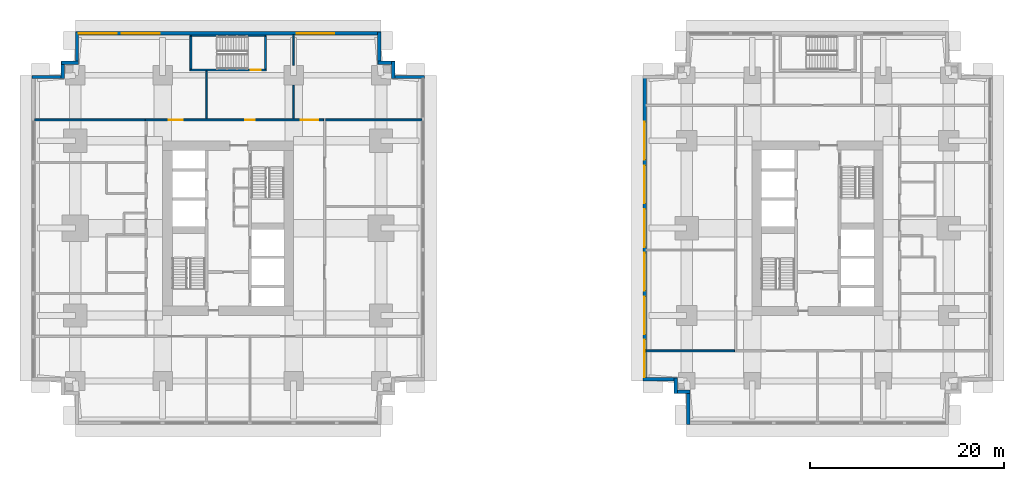
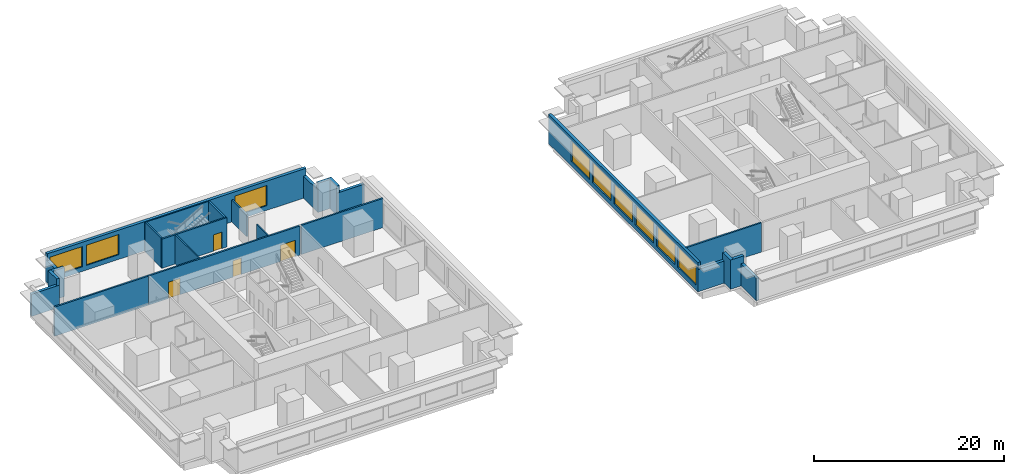
# One storey, part 5 of 11: 25 walls, 9 windows, 4 doors, 13 openings.
"""IFC4 building model written with IfcOpenShell, lengths in metres."""

from ifc_helpers import new_model, si_unit, direction, frame, frame_2d, origin, place, context, subcontext, project, spatial, rectangle, extrude, material, layer, layer_set, type_object, element, fill, save


model = new_model("IFC4")

# Units and contexts
model_context = context("Model", 3, precision=1e-05, world=origin(), true_north=direction((0.0, 1.0)))
body_context = subcontext(model_context, "Body", "Model", "MODEL_VIEW")
ifc_project = project(units=[si_unit("LENGTHUNIT", "METRE"), si_unit("AREAUNIT", "SQUARE_METRE"), si_unit("VOLUMEUNIT", "CUBIC_METRE"), si_unit("PLANEANGLEUNIT", "RADIAN"), si_unit("MASSUNIT", "GRAM", prefix="KILO")], contexts=[model_context])

# Site, building, storey
site_placement = place(None, origin())
site = spatial("IfcSite", under=ifc_project, at=site_placement, CompositionType="ELEMENT")
building_placement = place(site_placement, origin())
building = spatial("IfcBuilding", under=site, at=building_placement, Name="Namib Vertical Campus", CompositionType="ELEMENT")
storey_placement = place(building_placement, frame((0.0, 0.0, 61.0)))
storey = spatial("IfcBuildingStorey", under=building, at=storey_placement, Name="L14", CompositionType="ELEMENT", Elevation=61.0)

# Wall, openings, doors
ifc_material_1 = material(Name="Concrete masonry", Category="masonry")
ifc_layer_1 = layer(ifc_material_1, 0.199951171875)
ifc_layer_set_1 = layer_set([ifc_layer_1], Name="Corridor wall 200")
wall_type_1 = type_object("IfcWallType", Name="Corridor wall 200", PredefinedType="SOLIDWALL", material=ifc_layer_set_1)
wall_1_placement = place(storey_placement, frame((30.10009765625, 31.39990234375, 0.0), z_axis=(0.0, 0.0, 1.0), x_axis=(-1.0, 0.0, 0.0)))
wall_1 = element("IfcWall", 1, at=wall_1_placement, inside=storey, type_object=wall_type_1, Name="Corridor wall A L14 CN", PredefinedType="SOLIDWALL", context=body_context, shape_type="SweptSolid", body=[
    extrude(rectangle(XDim=18.400146484375, YDim=0.199951171875, at=frame_2d((9.2001953125, 0.0))), origin(), (0.0, 0.0, 1.0), 3.75),
])
opening_1_placement = place(wall_1_placement, frame((14.550048828125, 0.0, 0.0)))
opening_1 = element("IfcOpeningElement", 2, at=opening_1_placement, cuts=wall_1, Name="Opening LB1", PredefinedType="OPENING", context=body_context, shape_type="SweptSolid", body=[
    extrude(rectangle(XDim=1.39990234375, YDim=2.10009765625, at=frame_2d((0.699951171875, 1.050048828125))), frame((0.0, 0.10986328125, 0.0), z_axis=(0.0, -1.0, 0.0), x_axis=(1.0, 0.0, 0.0)), (0.0, 0.0, 1.0), 0.219970703125),
])
opening_2_placement = place(wall_1_placement, frame((7.10009765625, 0.0, 0.0)))
opening_2 = element("IfcOpeningElement", 3, at=opening_2_placement, cuts=wall_1, Name="Opening CD4", PredefinedType="OPENING", context=body_context, shape_type="SweptSolid", body=[
    extrude(rectangle(XDim=1.0, YDim=2.10009765625, at=frame_2d((0.5, 1.050048828125))), frame((0.0, 0.10986328125, 0.0), z_axis=(0.0, -1.0, 0.0), x_axis=(1.0, 0.0, 0.0)), (0.0, 0.0, 1.0), 0.219970703125),
])
opening_3_placement = place(wall_1_placement, frame((0.550048828125, 0.0, 0.0)))
opening_3 = element("IfcOpeningElement", 4, at=opening_3_placement, cuts=wall_1, Name="Opening CD2", PredefinedType="OPENING", context=body_context, shape_type="SweptSolid", body=[
    extrude(rectangle(XDim=1.800048828125, YDim=2.10009765625, at=frame_2d((0.89990234375, 1.050048828125))), frame((0.0, 0.10986328125, 0.0), z_axis=(0.0, -1.0, 0.0), x_axis=(1.0, 0.0, 0.0)), (0.0, 0.0, 1.0), 0.219970703125),
])
ifc_material_2 = material(Name="Timber fire door leaf", Category="wood")
door_type_1 = type_object("IfcDoorType", Name="Corridor door 1000x2100 20 min double-acting", OperationType="DOUBLE_SWING_LEFT", PredefinedType="DOOR", material=ifc_material_2)
door_1_placement = place(opening_2_placement, origin())
door_1 = element("IfcDoor", 5, at=door_1_placement, inside=storey, type_object=door_type_1, Name="Door CD4 A14-07", OperationType="DOUBLE_SWING_LEFT", OverallHeight=2.10009765625, OverallWidth=1.0, PredefinedType="DOOR", context=body_context, shape_type="SweptSolid", body=[
    extrude(rectangle(XDim=1.0, YDim=2.10009765625, at=frame_2d((0.5, 1.050048828125))), frame((0.0, 0.02490234375, 0.0), z_axis=(0.0, -1.0, 0.0), x_axis=(1.0, 0.0, 0.0)), (0.0, 0.0, 1.0), 0.050048828125),
])
fill(opening_2, door_1)
ifc_material_3 = material(Name="Timber fire door leaf", Category="wood")
door_type_2 = type_object("IfcDoorType", Name="Corridor door double 1800x2100 20 min", OperationType="DOUBLE_DOOR_SINGLE_SWING", PredefinedType="DOOR", material=ifc_material_3)
door_2_placement = place(opening_3_placement, frame((1.800048828125, 0.0, 0.0), z_axis=(0.0, 0.0, 1.0), x_axis=(-1.0, 0.0, 0.0)))
door_2 = element("IfcDoor", 6, at=door_2_placement, inside=storey, type_object=door_type_2, Name="Door CD2 A14-08", OperationType="DOUBLE_DOOR_SINGLE_SWING", OverallHeight=2.10009765625, OverallWidth=1.800048828125, PredefinedType="DOOR", context=body_context, shape_type="SweptSolid", body=[
    extrude(rectangle(XDim=1.800048828125, YDim=2.10009765625, at=frame_2d((0.89990234375, 1.050048828125))), frame((0.0, 0.02490234375, 0.0), z_axis=(0.0, -1.0, 0.0), x_axis=(1.0, 0.0, 0.0)), (0.0, 0.0, 1.0), 0.050048828125),
])
fill(opening_3, door_2)
ifc_material_4 = material(Name="Timber fire door leaf", Category="wood")
door_type_3 = type_object("IfcDoorType", Name="Laboratory door 1400x2100 leaf and a half", OperationType="DOUBLE_DOOR_SINGLE_SWING", PredefinedType="DOOR", material=ifc_material_4)
door_3_placement = place(opening_1_placement, frame((1.39990234375, 0.0, 0.0), z_axis=(0.0, 0.0, 1.0), x_axis=(-1.0, 0.0, 0.0)))
door_3 = element("IfcDoor", 7, at=door_3_placement, inside=storey, type_object=door_type_3, Name="Door LB1 A14-06", OperationType="DOUBLE_DOOR_SINGLE_SWING", OverallHeight=2.10009765625, OverallWidth=1.39990234375, PredefinedType="DOOR", context=body_context, shape_type="SweptSolid", body=[
    extrude(rectangle(XDim=1.39990234375, YDim=2.10009765625, at=frame_2d((0.699951171875, 1.050048828125))), frame((0.0, 0.02490234375, 0.0), z_axis=(0.0, -1.0, 0.0), x_axis=(1.0, 0.0, 0.0)), (0.0, 0.0, 1.0), 0.050048828125),
])
fill(opening_1, door_3)

# Walls
wall_2_placement = place(storey_placement, frame((0.300048828125, 31.39990234375, 0.0), z_axis=(0.0, 0.0, 1.0), x_axis=(1.0, 0.0, 0.0)))
element("IfcWall", 8, at=wall_2_placement, inside=storey, type_object=wall_type_1, Name="Partition A L14 BNW", PredefinedType="SOLIDWALL", context=body_context, shape_type="SweptSolid", body=[
    extrude(rectangle(XDim=11.39990234375, YDim=0.199951171875, at=frame_2d((5.699951171875, 0.0))), origin(), (0.0, 0.0, 1.0), 3.75),
])
wall_3_placement = place(storey_placement, frame((30.300048828125, 31.39990234375, 0.0), z_axis=(0.0, 0.0, 1.0), x_axis=(1.0, 0.0, 0.0)))
element("IfcWall", 9, at=wall_3_placement, inside=storey, type_object=wall_type_1, Name="Partition A L14 BNE", PredefinedType="SOLIDWALL", context=body_context, shape_type="SweptSolid", body=[
    extrude(rectangle(XDim=9.89990234375, YDim=0.199951171875, at=frame_2d((4.949951171875, 0.0))), origin(), (0.0, 0.0, 1.0), 3.75),
])
wall_4_placement = place(storey_placement, frame((63.300048828125, 7.60009765625, 0.0), z_axis=(0.0, 0.0, 1.0), x_axis=(1.0, 0.0, 0.0)))
element("IfcWall", 10, at=wall_4_placement, inside=storey, type_object=wall_type_1, Name="Partition B L14 BSW", PredefinedType="SOLIDWALL", context=body_context, shape_type="SweptSolid", body=[
    extrude(rectangle(XDim=9.14990234375, YDim=0.199951171875, at=frame_2d((4.574951171875, 0.0))), origin(), (0.0, 0.0, 1.0), 3.75),
])
ifc_material_5 = material(Name="Concrete C40/50", Category="concrete")
ifc_layer_2 = layer(ifc_material_5, 0.35009765625)
ifc_layer_set_2 = layer_set([ifc_layer_2], Name="Concrete C40/50")
wall_type_2 = type_object("IfcWallType", Name="External wall 350 bush-hammered concrete", PredefinedType="STANDARD", material=ifc_layer_set_2)
wall_5_placement = place(storey_placement, frame((40.47998046875, 35.824951171875, 0.0), z_axis=(0.0, 0.0, 1.0), x_axis=(-1.0, 0.0, 0.0)))
element("IfcWall", 11, at=wall_5_placement, inside=storey, type_object=wall_type_2, Name="External wall L14 F07", PredefinedType="STANDARD", context=body_context, shape_type="SweptSolid", body=[
    extrude(rectangle(XDim=3.35986328125, YDim=0.35009765625, at=frame_2d((1.679931640625, 0.0))), origin(), (0.0, 0.0, 1.0), 2.85009765625),
])
for number, where, z_axis, x_axis, name in (
    (12, (37.27490234375, 35.669921875, 0.0), (0.0, 0.0, 1.0), (0.0, 1.0, 0.0), "External wall L14 F08"),
    (13, (37.429931640625, 37.27490234375, 0.0), (0.0, 0.0, 1.0), (-1.0, 0.0, 0.0), "External wall L14 F09"),
):
    element("IfcWall", number, at=place(storey_placement, frame(where, z_axis=z_axis, x_axis=x_axis)), inside=storey, type_object=wall_type_2, Name=name, PredefinedType="STANDARD", context=body_context, shape_type="SweptSolid", body=[
        extrude(rectangle(XDim=1.760009765625, YDim=0.35009765625, at=frame_2d((0.8798828125, 0.0))), origin(), (0.0, 0.0, 1.0), 3.75),
    ])
wall_6_placement = place(storey_placement, frame((35.824951171875, 37.1201171875, 0.0), z_axis=(0.0, 0.0, 1.0), x_axis=(0.0, 1.0, 0.0)))
element("IfcWall", 14, at=wall_6_placement, inside=storey, type_object=wall_type_2, Name="External wall L14 F10", PredefinedType="STANDARD", context=body_context, shape_type="SweptSolid", body=[
    extrude(rectangle(XDim=3.35986328125, YDim=0.35009765625, at=frame_2d((1.679931640625, 0.0))), origin(), (0.0, 0.0, 1.0), 2.85009765625),
])

# Wall, openings, windows
wall_7_placement = place(storey_placement, frame((35.97998046875, 40.324951171875, 0.0), z_axis=(0.0, 0.0, 1.0), x_axis=(-1.0, 0.0, 0.0)))
wall_7 = element("IfcWall", 15, at=wall_7_placement, inside=storey, type_object=wall_type_2, Name="External wall L14 F11", PredefinedType="STANDARD", context=body_context, shape_type="SweptSolid", body=[
    extrude(rectangle(XDim=31.4599609375, YDim=0.35009765625, at=frame_2d((15.72998046875, 0.0))), origin(), (0.0, 0.0, 1.0), 3.75),
])
opening_4_placement = place(wall_7_placement, frame((27.2099609375, 0.0, 0.60009765625)))
opening_4 = element("IfcOpeningElement", 16, at=opening_4_placement, cuts=wall_7, Name="Opening W2", PredefinedType="OPENING", context=body_context, shape_type="SweptSolid", body=[
    extrude(rectangle(XDim=3.89990234375, YDim=2.60009765625, at=frame_2d((1.949951171875, 1.300048828125))), frame((0.0, 0.18505859375, 0.0), z_axis=(0.0, -1.0, 0.0), x_axis=(1.0, 0.0, 0.0)), (0.0, 0.0, 1.0), 0.3701171875),
])
opening_5_placement = place(wall_7_placement, frame((22.780029296875, 0.0, 0.60009765625)))
opening_5 = element("IfcOpeningElement", 17, at=opening_5_placement, cuts=wall_7, Name="Opening W2", PredefinedType="OPENING", context=body_context, shape_type="SweptSolid", body=[
    extrude(rectangle(XDim=3.89990234375, YDim=2.60009765625, at=frame_2d((1.949951171875, 1.300048828125))), frame((0.0, 0.18505859375, 0.0), z_axis=(0.0, -1.0, 0.0), x_axis=(1.0, 0.0, 0.0)), (0.0, 0.0, 1.0), 0.3701171875),
])
opening_6_placement = place(wall_7_placement, frame((4.780029296875, 0.0, 0.60009765625)))
opening_6 = element("IfcOpeningElement", 18, at=opening_6_placement, cuts=wall_7, Name="Opening W2", PredefinedType="OPENING", context=body_context, shape_type="SweptSolid", body=[
    extrude(rectangle(XDim=3.89990234375, YDim=2.60009765625, at=frame_2d((1.949951171875, 1.300048828125))), frame((0.0, 0.18505859375, 0.0), z_axis=(0.0, -1.0, 0.0), x_axis=(1.0, 0.0, 0.0)), (0.0, 0.0, 1.0), 0.3701171875),
])
ifc_material_6 = material(Name="Dark tinted glass in black aluminium frame", Category="aluminium")
window_type = type_object("IfcWindowType", Name="Ribbon window 3900x2600", PartitioningType="SINGLE_PANEL", PredefinedType="WINDOW", material=ifc_material_6)
window_1_placement = place(opening_4_placement, origin())
window_1 = element("IfcWindow", 19, at=window_1_placement, inside=storey, type_object=window_type, Name="Window W2 L14 F11-1", OverallHeight=2.60009765625, OverallWidth=3.89990234375, PartitioningType="SINGLE_PANEL", PredefinedType="WINDOW", context=body_context, shape_type="SweptSolid", body=[
    extrude(rectangle(XDim=3.89990234375, YDim=2.60009765625, at=frame_2d((1.949951171875, 1.300048828125))), frame((0.0, 0.030029296875, 0.0), z_axis=(0.0, -1.0, 0.0), x_axis=(1.0, 0.0, 0.0)), (0.0, 0.0, 1.0), 0.06005859375),
])
fill(opening_4, window_1)
window_2_placement = place(opening_5_placement, origin())
window_2 = element("IfcWindow", 20, at=window_2_placement, inside=storey, type_object=window_type, Name="Window W2 L14 F11-2", OverallHeight=2.60009765625, OverallWidth=3.89990234375, PartitioningType="SINGLE_PANEL", PredefinedType="WINDOW", context=body_context, shape_type="SweptSolid", body=[
    extrude(rectangle(XDim=3.89990234375, YDim=2.60009765625, at=frame_2d((1.949951171875, 1.300048828125))), frame((0.0, 0.030029296875, 0.0), z_axis=(0.0, -1.0, 0.0), x_axis=(1.0, 0.0, 0.0)), (0.0, 0.0, 1.0), 0.06005859375),
])
fill(opening_5, window_2)
window_3_placement = place(opening_6_placement, origin())
window_3 = element("IfcWindow", 21, at=window_3_placement, inside=storey, type_object=window_type, Name="Window W2 L14 F11-6", OverallHeight=2.60009765625, OverallWidth=3.89990234375, PartitioningType="SINGLE_PANEL", PredefinedType="WINDOW", context=body_context, shape_type="SweptSolid", body=[
    extrude(rectangle(XDim=3.89990234375, YDim=2.60009765625, at=frame_2d((1.949951171875, 1.300048828125))), frame((0.0, 0.030029296875, 0.0), z_axis=(0.0, -1.0, 0.0), x_axis=(1.0, 0.0, 0.0)), (0.0, 0.0, 1.0), 0.06005859375),
])
fill(opening_6, window_3)

# Walls
wall_8_placement = place(storey_placement, frame((4.675048828125, 40.47998046875, 0.0), z_axis=(0.0, 0.0, 1.0), x_axis=(0.0, -1.0, 0.0)))
element("IfcWall", 22, at=wall_8_placement, inside=storey, type_object=wall_type_2, Name="External wall L14 F12", PredefinedType="STANDARD", context=body_context, shape_type="SweptSolid", body=[
    extrude(rectangle(XDim=3.35986328125, YDim=0.35009765625, at=frame_2d((1.679931640625, 0.0))), origin(), (0.0, 0.0, 1.0), 2.85009765625),
])
for number, where, z_axis, x_axis, name in (
    (23, (4.830078125, 37.27490234375, 0.0), (0.0, 0.0, 1.0), (-1.0, 0.0, 0.0), "External wall L14 F13"),
    (24, (3.22509765625, 37.429931640625, 0.0), (0.0, 0.0, 1.0), (0.0, -1.0, 0.0), "External wall L14 F14"),
):
    element("IfcWall", number, at=place(storey_placement, frame(where, z_axis=z_axis, x_axis=x_axis)), inside=storey, type_object=wall_type_2, Name=name, PredefinedType="STANDARD", context=body_context, shape_type="SweptSolid", body=[
        extrude(rectangle(XDim=1.760009765625, YDim=0.35009765625, at=frame_2d((0.8798828125, 0.0))), origin(), (0.0, 0.0, 1.0), 3.75),
    ])
wall_9_placement = place(storey_placement, frame((3.3798828125, 35.824951171875, 0.0), z_axis=(0.0, 0.0, 1.0), x_axis=(-1.0, 0.0, 0.0)))
element("IfcWall", 25, at=wall_9_placement, inside=storey, type_object=wall_type_2, Name="External wall L14 F15", PredefinedType="STANDARD", context=body_context, shape_type="SweptSolid", body=[
    extrude(rectangle(XDim=3.35986328125, YDim=0.35009765625, at=frame_2d((1.679931640625, 0.0))), origin(), (0.0, 0.0, 1.0), 2.85009765625),
])

# Wall, openings, windows
wall_10_placement = place(storey_placement, frame((63.175048828125, 35.97998046875, 0.0), z_axis=(0.0, 0.0, 1.0), x_axis=(0.0, -1.0, 0.0)))
wall_10 = element("IfcWall", 26, at=wall_10_placement, inside=storey, type_object=wall_type_2, Name="External wall L14 F16", PredefinedType="STANDARD", context=body_context, shape_type="SweptSolid", body=[
    extrude(rectangle(XDim=31.4599609375, YDim=0.35009765625, at=frame_2d((15.72998046875, 0.0))), origin(), (0.0, 0.0, 1.0), 3.75),
])
opening_7_placement = place(wall_10_placement, frame((27.2099609375, 0.0, 0.60009765625)))
opening_7 = element("IfcOpeningElement", 27, at=opening_7_placement, cuts=wall_10, Name="Opening W2", PredefinedType="OPENING", context=body_context, shape_type="SweptSolid", body=[
    extrude(rectangle(XDim=3.89990234375, YDim=2.60009765625, at=frame_2d((1.949951171875, 1.300048828125))), frame((0.0, 0.18505859375, 0.0), z_axis=(0.0, -1.0, 0.0), x_axis=(1.0, 0.0, 0.0)), (0.0, 0.0, 1.0), 0.3701171875),
])
opening_8_placement = place(wall_10_placement, frame((22.780029296875, 0.0, 0.60009765625)))
opening_8 = element("IfcOpeningElement", 28, at=opening_8_placement, cuts=wall_10, Name="Opening W2", PredefinedType="OPENING", context=body_context, shape_type="SweptSolid", body=[
    extrude(rectangle(XDim=3.89990234375, YDim=2.60009765625, at=frame_2d((1.949951171875, 1.300048828125))), frame((0.0, 0.18505859375, 0.0), z_axis=(0.0, -1.0, 0.0), x_axis=(1.0, 0.0, 0.0)), (0.0, 0.0, 1.0), 0.3701171875),
])
opening_9_placement = place(wall_10_placement, frame((18.280029296875, 0.0, 0.60009765625)))
opening_9 = element("IfcOpeningElement", 29, at=opening_9_placement, cuts=wall_10, Name="Opening W2", PredefinedType="OPENING", context=body_context, shape_type="SweptSolid", body=[
    extrude(rectangle(XDim=3.89990234375, YDim=2.60009765625, at=frame_2d((1.949951171875, 1.300048828125))), frame((0.0, 0.18505859375, 0.0), z_axis=(0.0, -1.0, 0.0), x_axis=(1.0, 0.0, 0.0)), (0.0, 0.0, 1.0), 0.3701171875),
])
opening_10_placement = place(wall_10_placement, frame((13.780029296875, 0.0, 0.60009765625)))
opening_10 = element("IfcOpeningElement", 30, at=opening_10_placement, cuts=wall_10, Name="Opening W2", PredefinedType="OPENING", context=body_context, shape_type="SweptSolid", body=[
    extrude(rectangle(XDim=3.89990234375, YDim=2.60009765625, at=frame_2d((1.949951171875, 1.300048828125))), frame((0.0, 0.18505859375, 0.0), z_axis=(0.0, -1.0, 0.0), x_axis=(1.0, 0.0, 0.0)), (0.0, 0.0, 1.0), 0.3701171875),
])
opening_11_placement = place(wall_10_placement, frame((9.280029296875, 0.0, 0.60009765625)))
opening_11 = element("IfcOpeningElement", 31, at=opening_11_placement, cuts=wall_10, Name="Opening W2", PredefinedType="OPENING", context=body_context, shape_type="SweptSolid", body=[
    extrude(rectangle(XDim=3.89990234375, YDim=2.60009765625, at=frame_2d((1.949951171875, 1.300048828125))), frame((0.0, 0.18505859375, 0.0), z_axis=(0.0, -1.0, 0.0), x_axis=(1.0, 0.0, 0.0)), (0.0, 0.0, 1.0), 0.3701171875),
])
opening_12_placement = place(wall_10_placement, frame((4.780029296875, 0.0, 0.60009765625)))
opening_12 = element("IfcOpeningElement", 32, at=opening_12_placement, cuts=wall_10, Name="Opening W2", PredefinedType="OPENING", context=body_context, shape_type="SweptSolid", body=[
    extrude(rectangle(XDim=3.89990234375, YDim=2.60009765625, at=frame_2d((1.949951171875, 1.300048828125))), frame((0.0, 0.18505859375, 0.0), z_axis=(0.0, -1.0, 0.0), x_axis=(1.0, 0.0, 0.0)), (0.0, 0.0, 1.0), 0.3701171875),
])
window_4_placement = place(opening_7_placement, origin())
window_4 = element("IfcWindow", 33, at=window_4_placement, inside=storey, type_object=window_type, Name="Window W2 L14 F16-1", OverallHeight=2.60009765625, OverallWidth=3.89990234375, PartitioningType="SINGLE_PANEL", PredefinedType="WINDOW", context=body_context, shape_type="SweptSolid", body=[
    extrude(rectangle(XDim=3.89990234375, YDim=2.60009765625, at=frame_2d((1.949951171875, 1.300048828125))), frame((0.0, 0.030029296875, 0.0), z_axis=(0.0, -1.0, 0.0), x_axis=(1.0, 0.0, 0.0)), (0.0, 0.0, 1.0), 0.06005859375),
])
fill(opening_7, window_4)
window_5_placement = place(opening_8_placement, origin())
window_5 = element("IfcWindow", 34, at=window_5_placement, inside=storey, type_object=window_type, Name="Window W2 L14 F16-2", OverallHeight=2.60009765625, OverallWidth=3.89990234375, PartitioningType="SINGLE_PANEL", PredefinedType="WINDOW", context=body_context, shape_type="SweptSolid", body=[
    extrude(rectangle(XDim=3.89990234375, YDim=2.60009765625, at=frame_2d((1.949951171875, 1.300048828125))), frame((0.0, 0.030029296875, 0.0), z_axis=(0.0, -1.0, 0.0), x_axis=(1.0, 0.0, 0.0)), (0.0, 0.0, 1.0), 0.06005859375),
])
fill(opening_8, window_5)
window_6_placement = place(opening_9_placement, origin())
window_6 = element("IfcWindow", 35, at=window_6_placement, inside=storey, type_object=window_type, Name="Window W2 L14 F16-3", OverallHeight=2.60009765625, OverallWidth=3.89990234375, PartitioningType="SINGLE_PANEL", PredefinedType="WINDOW", context=body_context, shape_type="SweptSolid", body=[
    extrude(rectangle(XDim=3.89990234375, YDim=2.60009765625, at=frame_2d((1.949951171875, 1.300048828125))), frame((0.0, 0.030029296875, 0.0), z_axis=(0.0, -1.0, 0.0), x_axis=(1.0, 0.0, 0.0)), (0.0, 0.0, 1.0), 0.06005859375),
])
fill(opening_9, window_6)
window_7_placement = place(opening_10_placement, origin())
window_7 = element("IfcWindow", 36, at=window_7_placement, inside=storey, type_object=window_type, Name="Window W2 L14 F16-4", OverallHeight=2.60009765625, OverallWidth=3.89990234375, PartitioningType="SINGLE_PANEL", PredefinedType="WINDOW", context=body_context, shape_type="SweptSolid", body=[
    extrude(rectangle(XDim=3.89990234375, YDim=2.60009765625, at=frame_2d((1.949951171875, 1.300048828125))), frame((0.0, 0.030029296875, 0.0), z_axis=(0.0, -1.0, 0.0), x_axis=(1.0, 0.0, 0.0)), (0.0, 0.0, 1.0), 0.06005859375),
])
fill(opening_10, window_7)
window_8_placement = place(opening_11_placement, origin())
window_8 = element("IfcWindow", 37, at=window_8_placement, inside=storey, type_object=window_type, Name="Window W2 L14 F16-5", OverallHeight=2.60009765625, OverallWidth=3.89990234375, PartitioningType="SINGLE_PANEL", PredefinedType="WINDOW", context=body_context, shape_type="SweptSolid", body=[
    extrude(rectangle(XDim=3.89990234375, YDim=2.60009765625, at=frame_2d((1.949951171875, 1.300048828125))), frame((0.0, 0.030029296875, 0.0), z_axis=(0.0, -1.0, 0.0), x_axis=(1.0, 0.0, 0.0)), (0.0, 0.0, 1.0), 0.06005859375),
])
fill(opening_11, window_8)
window_9_placement = place(opening_12_placement, origin())
window_9 = element("IfcWindow", 38, at=window_9_placement, inside=storey, type_object=window_type, Name="Window W2 L14 F16-6", OverallHeight=2.60009765625, OverallWidth=3.89990234375, PartitioningType="SINGLE_PANEL", PredefinedType="WINDOW", context=body_context, shape_type="SweptSolid", body=[
    extrude(rectangle(XDim=3.89990234375, YDim=2.60009765625, at=frame_2d((1.949951171875, 1.300048828125))), frame((0.0, 0.030029296875, 0.0), z_axis=(0.0, -1.0, 0.0), x_axis=(1.0, 0.0, 0.0)), (0.0, 0.0, 1.0), 0.06005859375),
])
fill(opening_12, window_9)

# Walls
wall_11_placement = place(storey_placement, frame((63.02001953125, 4.675048828125, 0.0), z_axis=(0.0, 0.0, 1.0), x_axis=(1.0, 0.0, 0.0)))
element("IfcWall", 39, at=wall_11_placement, inside=storey, type_object=wall_type_2, Name="External wall L14 F17", PredefinedType="STANDARD", context=body_context, shape_type="SweptSolid", body=[
    extrude(rectangle(XDim=3.510009765625, YDim=0.35009765625, at=frame_2d((1.7548828125, 0.0))), origin(), (0.0, 0.0, 1.0), 2.85009765625),
])
for number, where, z_axis, x_axis, name in (
    (40, (66.375, 4.830078125, 0.0), (0.0, 0.0, 1.0), (0.0, -1.0, 0.0), "External wall L14 F18"),
    (41, (66.219970703125, 3.375, 0.0), (0.0, 0.0, 1.0), (1.0, 0.0, 0.0), "External wall L14 F19"),
):
    element("IfcWall", number, at=place(storey_placement, frame(where, z_axis=z_axis, x_axis=x_axis)), inside=storey, type_object=wall_type_2, Name=name, PredefinedType="STANDARD", context=body_context, shape_type="SweptSolid", body=[
        extrude(rectangle(XDim=1.610107421875, YDim=0.35009765625, at=frame_2d((0.80517578125, 0.0))), origin(), (0.0, 0.0, 1.0), 3.75),
    ])
wall_12_placement = place(storey_placement, frame((67.675048828125, 3.530029296875, 0.0), z_axis=(0.0, 0.0, 1.0), x_axis=(0.0, -1.0, 0.0)))
element("IfcWall", 42, at=wall_12_placement, inside=storey, type_object=wall_type_2, Name="External wall L14 F20", PredefinedType="STANDARD", context=body_context, shape_type="SweptSolid", body=[
    extrude(rectangle(XDim=3.510009765625, YDim=0.35009765625, at=frame_2d((1.7548828125, 0.0))), origin(), (0.0, 0.0, 1.0), 2.85009765625),
])
ifc_material_7 = material(Name="Gypsum board on steel studs", Category="steel")
ifc_layer_3 = layer(ifc_material_7, 0.14990234375)
ifc_layer_set_3 = layer_set([ifc_layer_3], Name="Gypsum board on steel studs")
wall_type_3 = type_object("IfcWallType", Name="Partition 150", PredefinedType="PARTITIONING", material=ifc_layer_set_3)
wall_13_placement = place(storey_placement, frame((18.0, 31.5, 0.0), z_axis=(0.0, 0.0, 1.0), x_axis=(0.0, 1.0, 0.0)))
element("IfcWall", 43, at=wall_13_placement, inside=storey, type_object=wall_type_3, Name="Partition A L14 PN1", PredefinedType="PARTITIONING", context=body_context, shape_type="SweptSolid", body=[
    extrude(rectangle(XDim=4.949951171875, YDim=0.14990234375, at=frame_2d((2.47509765625, 0.0))), origin(), (0.0, 0.0, 1.0), 3.75),
])
wall_14_placement = place(storey_placement, frame((27.0, 31.5, 0.0), z_axis=(0.0, 0.0, 1.0), x_axis=(0.0, 1.0, 0.0)))
element("IfcWall", 44, at=wall_14_placement, inside=storey, type_object=wall_type_3, Name="Partition A L14 PN2", PredefinedType="PARTITIONING", context=body_context, shape_type="SweptSolid", body=[
    extrude(rectangle(XDim=3.47998046875, YDim=0.14990234375, at=frame_2d((1.739990234375, 0.0))), origin(), (0.0, 0.0, 1.0), 2.85009765625),
])
wall_15_placement = place(storey_placement, frame((27.0, 37.02001953125, 0.0), z_axis=(0.0, 0.0, 1.0), x_axis=(0.0, 1.0, 0.0)))
element("IfcWall", 45, at=wall_15_placement, inside=storey, type_object=wall_type_3, Name="Partition A L14 PN2", PredefinedType="PARTITIONING", context=body_context, shape_type="SweptSolid", body=[
    extrude(rectangle(XDim=3.179931640625, YDim=0.14990234375, at=frame_2d((1.58984375, 0.0))), origin(), (0.0, 0.0, 1.0), 2.85009765625),
])
ifc_material_8 = material(Name="Concrete C40/50", Category="concrete")
ifc_layer_4 = layer(ifc_material_8, 0.14990234375)
ifc_layer_set_4 = layer_set([ifc_layer_4], Name="Concrete C40/50")
wall_type_4 = type_object("IfcWallType", Name="Stair enclosure wall RC 150", PredefinedType="SOLIDWALL", material=ifc_layer_set_4)
wall_16_placement = place(storey_placement, frame((16.300048828125, 40.074951171875, 0.0), z_axis=(0.0, 0.0, 1.0), x_axis=(1.0, 0.0, 0.0)))
element("IfcWall", 46, at=wall_16_placement, inside=storey, type_object=wall_type_4, Name="Stair enclosure wall A-S3 L14 N", PredefinedType="SOLIDWALL", context=body_context, shape_type="SweptSolid", body=[
    extrude(rectangle(XDim=7.89990234375, YDim=0.14990234375, at=frame_2d((3.949951171875, 0.0))), origin(), (0.0, 0.0, 1.0), 3.75),
])

# Wall, opening, door
ifc_material_9 = material(Name="Concrete C40/50", Category="concrete")
ifc_layer_5 = layer(ifc_material_9, 0.199951171875)
ifc_layer_set_5 = layer_set([ifc_layer_5], Name="Concrete C40/50")
wall_type_5 = type_object("IfcWallType", Name="Stair enclosure wall RC 200", PredefinedType="SOLIDWALL", material=ifc_layer_set_5)
wall_17_placement = place(storey_placement, frame((16.300048828125, 36.550048828125, 0.0), z_axis=(0.0, 0.0, 1.0), x_axis=(1.0, 0.0, 0.0)))
wall_17 = element("IfcWall", 47, at=wall_17_placement, inside=storey, type_object=wall_type_5, Name="Stair enclosure wall A-S3 L14 S", PredefinedType="SOLIDWALL", context=body_context, shape_type="SweptSolid", body=[
    extrude(rectangle(XDim=7.89990234375, YDim=0.199951171875, at=frame_2d((3.949951171875, 0.0))), origin(), (0.0, 0.0, 1.0), 3.75),
])
opening_13_placement = place(wall_17_placement, frame((6.300048828125, 0.0, 0.0)))
opening_13 = element("IfcOpeningElement", 48, at=opening_13_placement, cuts=wall_17, Name="Opening FD1", PredefinedType="OPENING", context=body_context, shape_type="SweptSolid", body=[
    extrude(rectangle(XDim=1.0, YDim=2.10009765625, at=frame_2d((0.5, 1.050048828125))), frame((0.0, 0.10986328125, 0.0), z_axis=(0.0, -1.0, 0.0), x_axis=(1.0, 0.0, 0.0)), (0.0, 0.0, 1.0), 0.219970703125),
])
ifc_material_10 = material(Name="Steel fire door", Category="steel")
door_type_4 = type_object("IfcDoorType", Name="Fire door 1000x2100", OperationType="SINGLE_SWING_RIGHT", PredefinedType="DOOR", material=ifc_material_10)
door_4_placement = place(opening_13_placement, origin())
door_4 = element("IfcDoor", 49, at=door_4_placement, inside=storey, type_object=door_type_4, Name="Stair door FD1 A L14 S3", OperationType="SINGLE_SWING_RIGHT", OverallHeight=2.10009765625, OverallWidth=1.0, PredefinedType="DOOR", context=body_context, shape_type="SweptSolid", body=[
    extrude(rectangle(XDim=1.0, YDim=2.10009765625, at=frame_2d((0.5, 1.050048828125))), frame((0.0, 0.02490234375, 0.0), z_axis=(0.0, -1.0, 0.0), x_axis=(1.0, 0.0, 0.0)), (0.0, 0.0, 1.0), 0.050048828125),
])
fill(opening_13, door_4)

# Walls
for number, where, z_axis, x_axis, name in (
    (50, (16.39990234375, 36.64990234375, 0.0), (0.0, 0.0, 1.0), (0.0, 1.0, 0.0), "Stair enclosure wall A-S3 L14 W"),
    (51, (24.10009765625, 36.64990234375, 0.0), (0.0, 0.0, 1.0), (0.0, 1.0, 0.0), "Stair enclosure wall A-S3 L14 E"),
):
    element("IfcWall", number, at=place(storey_placement, frame(where, z_axis=z_axis, x_axis=x_axis)), inside=storey, type_object=wall_type_5, Name=name, PredefinedType="SOLIDWALL", context=body_context, shape_type="SweptSolid", body=[
        extrude(rectangle(XDim=3.35009765625, YDim=0.199951171875, at=frame_2d((1.675048828125, 0.0))), origin(), (0.0, 0.0, 1.0), 3.75),
    ])

save(model, "model.ifc")
